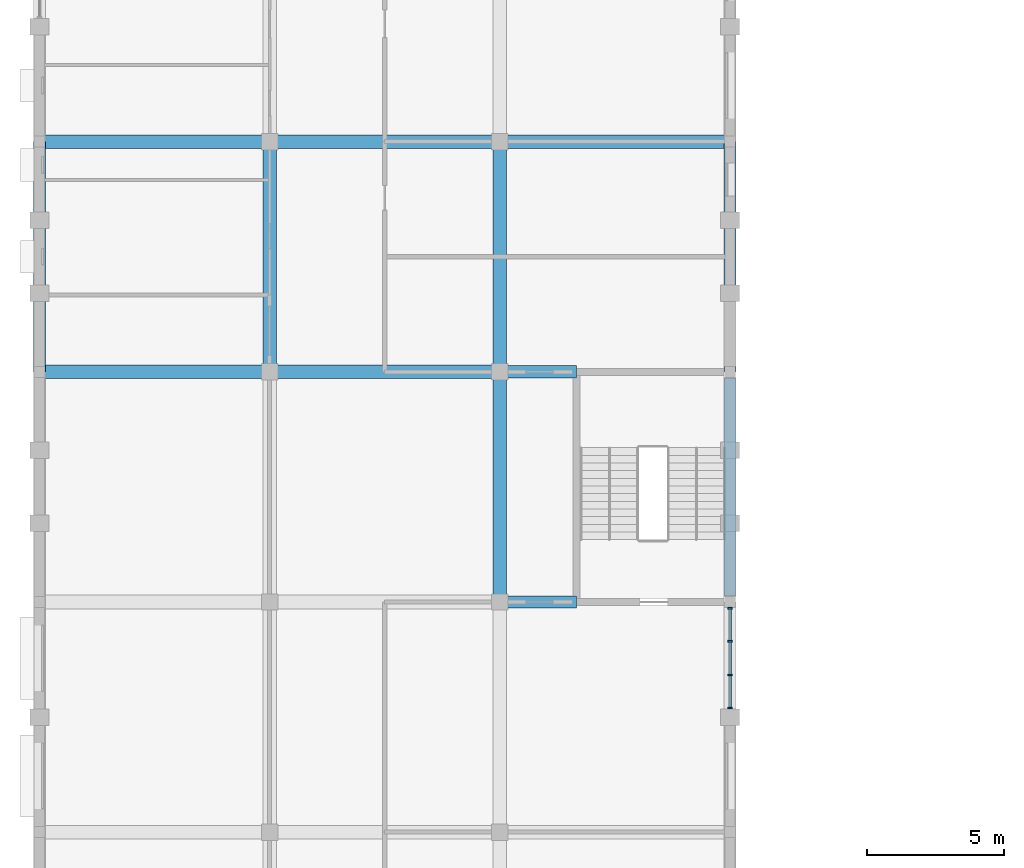
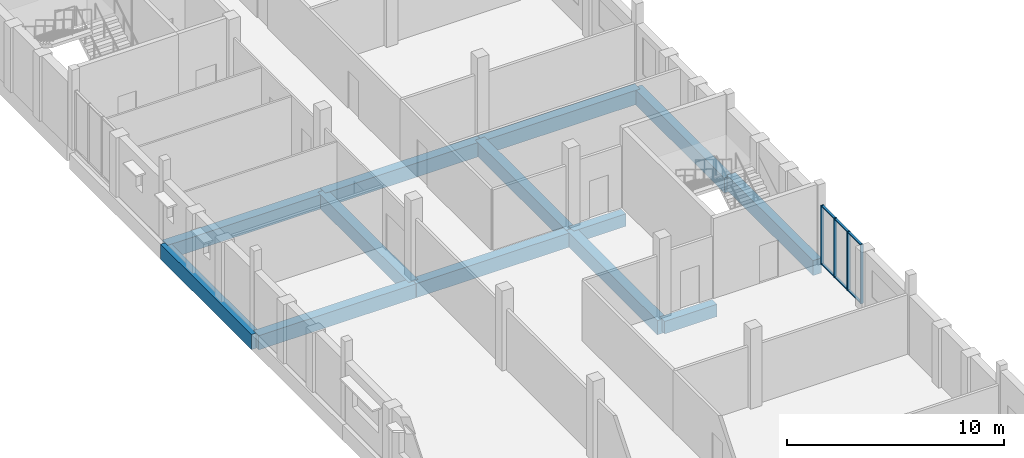
# One storey, part 37 of 116: 13 beams, 10 members, 1 element without a shape of its own.
"""IFC4 building model written with IfcOpenShell, lengths in metres."""

from ifc_helpers import new_model, si_unit, direction, frame, origin, origin_2d, place, context, subcontext, project, spatial, rectangle, extrude, material, material_profile, profile_set, type_object, element, aggregate, save


model = new_model("IFC4")

# Units and contexts
model_context = context("Model", 3, precision=1e-05, world=origin(), true_north=direction((0.0, 1.0)))
body_context = subcontext(model_context, "Body", "Model", "MODEL_VIEW")
ifc_project = project(units=[si_unit("LENGTHUNIT", "METRE"), si_unit("AREAUNIT", "SQUARE_METRE"), si_unit("VOLUMEUNIT", "CUBIC_METRE"), si_unit("PLANEANGLEUNIT", "RADIAN"), si_unit("MASSUNIT", "GRAM", prefix="KILO")], contexts=[model_context])

# Site, building, storey
site_placement = place(None, origin())
site = spatial("IfcSite", under=ifc_project, at=site_placement, CompositionType="ELEMENT")
building_placement = place(site_placement, origin())
building = spatial("IfcBuilding", under=site, at=building_placement, Name="Fescue Hill Polytechnic", CompositionType="ELEMENT")
storey_placement = place(building_placement, frame((0.0, 0.0, 13.5)))
storey = spatial("IfcBuildingStorey", under=building, at=storey_placement, Name="L03", CompositionType="ELEMENT", Elevation=13.5)

# Beams
ifc_material_1 = material(Name="Concrete 35 MPa", Category="concrete")
ifc_material_profile_1 = material_profile(ifc_material_1, rectangle(XDim=0.449951171875, YDim=0.699951171875, at=origin_2d()), Name="RC 450x700")
ifc_profile_set_1 = profile_set([ifc_material_profile_1], Name="Concrete 35 MPa")
beam_type_1 = type_object("IfcBeamType", Name="Beam RC 450x700", PredefinedType="BEAM", material=ifc_profile_set_1)
for number, where, z_axis, x_axis, name in (
    (1, (16.81005859375, 75.60009765625, -0.64990234375), (1.0, 0.0, 0.0), (0.0, 1.0, 0.0), "BM-L03-0045"),
    (2, (16.81005859375, 84.0, -0.64990234375), (1.0, 0.0, 0.0), (0.0, 1.0, 0.0), "BM-L03-0046"),
):
    element("IfcBeam", number, at=place(storey_placement, frame(where, z_axis=z_axis, x_axis=x_axis)), inside=storey, type_object=beam_type_1, Name=name, PredefinedType="BEAM", context=body_context, shape_type="SweptSolid", body=[
        extrude(rectangle(XDim=0.449951171875, YDim=0.699951171875, at=origin_2d()), origin(), (0.0, 0.0, 1.0), 2.7900390625),
    ])
ifc_material_profile_2 = material_profile(ifc_material_1, rectangle(XDim=0.449951171875, YDim=0.85009765625, at=origin_2d()), Name="RC 450x850")
ifc_profile_set_2 = profile_set([ifc_material_profile_2], Name="Concrete 35 MPa")
beam_type_2 = type_object("IfcBeamType", Name="Beam RC 450x850", PredefinedType="BEAM", material=ifc_profile_set_2)
for number, where, z_axis, x_axis, name in (
    (3, (0.0, 84.0, -0.72509765625), (0.0, 1.0, 0.0), (-1.0, 0.0, 0.0), "BM-L03-0004"),
    (4, (25.199951171875, 84.0, -0.72509765625), (0.0, 1.0, 0.0), (-1.0, 0.0, 0.0), "BM-L03-0053"),
):
    element("IfcBeam", number, at=place(storey_placement, frame(where, z_axis=z_axis, x_axis=x_axis)), inside=storey, type_object=beam_type_2, Name=name, PredefinedType="BEAM", context=body_context, shape_type="SweptSolid", body=[
        extrude(rectangle(XDim=0.449951171875, YDim=0.85009765625, at=origin_2d()), origin(), (0.0, 0.0, 1.0), 8.39990234375),
    ])
beam_1_placement = place(storey_placement, frame((25.199951171875, 75.824951171875, -0.425048828125), z_axis=(0.0, 1.0, 0.0), x_axis=(-1.0, 0.0, 0.0)))
element("IfcBeam", 5, at=beam_1_placement, inside=storey, type_object=beam_type_2, Name="BM-L03-0133", PredefinedType="BEAM", context=body_context, shape_type="SweptSolid", body=[
    extrude(rectangle(XDim=0.449951171875, YDim=0.85009765625, at=origin_2d()), origin(), (0.0, 0.0, 1.0), 7.949951171875),
])
ifc_material_profile_3 = material_profile(ifc_material_1, rectangle(XDim=0.5, YDim=0.800048828125, at=origin_2d()), Name="RC 500x800")
ifc_profile_set_3 = profile_set([ifc_material_profile_3], Name="Concrete 35 MPa")
beam_type_3 = type_object("IfcBeamType", Name="Beam RC 500x800", PredefinedType="BEAM", material=ifc_profile_set_3)
for number, where, z_axis, x_axis, name in (
    (6, (0.010009765625, 84.0, -0.699951171875), (1.0, 0.0, 0.0), (0.0, 1.0, 0.0), "BM-L03-0010"),
    (7, (0.010009765625, 92.39990234375, -0.699951171875), (1.0, 0.0, 0.0), (0.0, 1.0, 0.0), "BM-L03-0011"),
):
    element("IfcBeam", number, at=place(storey_placement, frame(where, z_axis=z_axis, x_axis=x_axis)), inside=storey, type_object=beam_type_3, Name=name, PredefinedType="BEAM", context=body_context, shape_type="SweptSolid", body=[
        extrude(rectangle(XDim=0.5, YDim=0.800048828125, at=origin_2d()), origin(), (0.0, 0.0, 1.0), 8.3798828125),
    ])
beam_2_placement = place(storey_placement, frame((8.39990234375, 84.0, -0.699951171875), z_axis=(0.0, 1.0, 0.0), x_axis=(-1.0, 0.0, 0.0)))
element("IfcBeam", 8, at=beam_2_placement, inside=storey, type_object=beam_type_3, Name="BM-L03-0020", PredefinedType="BEAM", context=body_context, shape_type="SweptSolid", body=[
    extrude(rectangle(XDim=0.5, YDim=0.800048828125, at=origin_2d()), origin(), (0.0, 0.0, 1.0), 8.39990234375),
])
for number, where, z_axis, x_axis, name in (
    (9, (8.409912109375, 84.0, -0.699951171875), (1.0, 0.0, 0.0), (0.0, 1.0, 0.0), "BM-L03-0027"),
    (10, (8.409912109375, 92.39990234375, -0.699951171875), (1.0, 0.0, 0.0), (0.0, 1.0, 0.0), "BM-L03-0028"),
):
    element("IfcBeam", number, at=place(storey_placement, frame(where, z_axis=z_axis, x_axis=x_axis)), inside=storey, type_object=beam_type_3, Name=name, PredefinedType="BEAM", context=body_context, shape_type="SweptSolid", body=[
        extrude(rectangle(XDim=0.5, YDim=0.800048828125, at=origin_2d()), origin(), (0.0, 0.0, 1.0), 8.380126953125),
    ])
for number, where, z_axis, x_axis, name in (
    (11, (16.800048828125, 75.60009765625, -0.699951171875), (0.0, 1.0, 0.0), (-1.0, 0.0, 0.0), "BM-L03-0035"),
    (12, (16.800048828125, 84.0, -0.699951171875), (0.0, 1.0, 0.0), (-1.0, 0.0, 0.0), "BM-L03-0036"),
):
    element("IfcBeam", number, at=place(storey_placement, frame(where, z_axis=z_axis, x_axis=x_axis)), inside=storey, type_object=beam_type_3, Name=name, PredefinedType="BEAM", context=body_context, shape_type="SweptSolid", body=[
        extrude(rectangle(XDim=0.5, YDim=0.800048828125, at=origin_2d()), origin(), (0.0, 0.0, 1.0), 8.39990234375),
    ])
beam_3_placement = place(storey_placement, frame((16.81005859375, 92.39990234375, -0.699951171875), z_axis=(1.0, 0.0, 0.0), x_axis=(0.0, 1.0, 0.0)))
element("IfcBeam", 13, at=beam_3_placement, inside=storey, type_object=beam_type_3, Name="BM-L03-0047", PredefinedType="BEAM", context=body_context, shape_type="SweptSolid", body=[
    extrude(rectangle(XDim=0.5, YDim=0.800048828125, at=origin_2d()), origin(), (0.0, 0.0, 1.0), 8.3798828125),
])

# Curtain wall, members
ifc_material_2 = material(Name="Glass", Category="glass")
curtain_wall_type = type_object("IfcCurtainWallType", Name="Curtain wall structural glazing", PredefinedType="NOTDEFINED", material=ifc_material_2)
curtain_wall_placement = place(storey_placement, origin())
curtain_wall = element("IfcCurtainWall", 14, at=curtain_wall_placement, inside=storey, type_object=curtain_wall_type, Name="CW-L03-V4-X3", PredefinedType="NOTDEFINED")
ifc_material_3 = material(Name="Powder-coated aluminium", Category="aluminium")
ifc_material_profile_4 = material_profile(ifc_material_3, rectangle(XDim=0.159912109375, YDim=0.06005859375, at=origin_2d()), Name="Mullion aluminium 60x160")
ifc_profile_set_4 = profile_set([ifc_material_profile_4], Name="Powder-coated aluminium")
member_type_1 = type_object("IfcMemberType", Name="Mullion aluminium 60x160", PredefinedType="MULLION", material=ifc_profile_set_4)
member_1_placement = place(storey_placement, frame((25.199951171875, 71.72998046875, 0.0), z_axis=(0.0, 0.0, 1.0), x_axis=(-1.0, 0.0, 0.0)))
member_1 = element("IfcMember", 15, at=member_1_placement, type_object=member_type_1, Name="CW136 mullion 1", PredefinedType="MULLION", context=body_context, shape_type="SweptSolid", body=[
    extrude(rectangle(XDim=0.159912109375, YDim=0.06005859375, at=origin_2d()), origin(), (0.0, 0.0, 1.0), 3.330078125),
])
member_2_placement = place(storey_placement, frame((25.199951171875, 72.933349609375, 0.0), z_axis=(0.0, 0.0, 1.0), x_axis=(-1.0, 0.0, 0.0)))
member_2 = element("IfcMember", 16, at=member_2_placement, type_object=member_type_1, Name="CW136 mullion 2", PredefinedType="MULLION", context=body_context, shape_type="SweptSolid", body=[
    extrude(rectangle(XDim=0.159912109375, YDim=0.06005859375, at=origin_2d()), origin(), (0.0, 0.0, 1.0), 3.330078125),
])
member_3_placement = place(storey_placement, frame((25.199951171875, 74.166748046875, 0.0), z_axis=(0.0, 0.0, 1.0), x_axis=(-1.0, 0.0, 0.0)))
member_3 = element("IfcMember", 17, at=member_3_placement, type_object=member_type_1, Name="CW136 mullion 3", PredefinedType="MULLION", context=body_context, shape_type="SweptSolid", body=[
    extrude(rectangle(XDim=0.159912109375, YDim=0.06005859375, at=origin_2d()), origin(), (0.0, 0.0, 1.0), 3.330078125),
])
member_4_placement = place(storey_placement, frame((25.199951171875, 75.3701171875, 0.0), z_axis=(0.0, 0.0, 1.0), x_axis=(-1.0, 0.0, 0.0)))
member_4 = element("IfcMember", 18, at=member_4_placement, type_object=member_type_1, Name="CW136 mullion 4", PredefinedType="MULLION", context=body_context, shape_type="SweptSolid", body=[
    extrude(rectangle(XDim=0.159912109375, YDim=0.06005859375, at=origin_2d()), origin(), (0.0, 0.0, 1.0), 3.330078125),
])
ifc_material_profile_5 = material_profile(ifc_material_3, rectangle(XDim=0.1201171875, YDim=0.06005859375, at=origin_2d()), Name="Transom aluminium 60x120")
ifc_profile_set_5 = profile_set([ifc_material_profile_5], Name="Powder-coated aluminium")
member_type_2 = type_object("IfcMemberType", Name="Transom aluminium 60x120", PredefinedType="USERDEFINED", material=ifc_profile_set_5)
member_5_placement = place(storey_placement, frame((25.199951171875, 71.760009765625, 0.030029296875), z_axis=(0.0, 1.0, 0.0), x_axis=(-1.0, 0.0, 0.0)))
member_5 = element("IfcMember", 19, at=member_5_placement, type_object=member_type_2, Name="CW136 transom 1.1", ObjectType="TRANSOM", PredefinedType="USERDEFINED", context=body_context, shape_type="SweptSolid", body=[
    extrude(rectangle(XDim=0.1201171875, YDim=0.06005859375, at=origin_2d()), origin(), (0.0, 0.0, 1.0), 1.143310546875),
])
member_6_placement = place(storey_placement, frame((25.199951171875, 71.760009765625, 3.300048828125), z_axis=(0.0, 1.0, 0.0), x_axis=(-1.0, 0.0, 0.0)))
member_6 = element("IfcMember", 20, at=member_6_placement, type_object=member_type_2, Name="CW136 transom 1.2", ObjectType="TRANSOM", PredefinedType="USERDEFINED", context=body_context, shape_type="SweptSolid", body=[
    extrude(rectangle(XDim=0.1201171875, YDim=0.06005859375, at=origin_2d()), origin(), (0.0, 0.0, 1.0), 1.143310546875),
])
member_7_placement = place(storey_placement, frame((25.199951171875, 72.96337890625, 0.030029296875), z_axis=(0.0, 1.0, 0.0), x_axis=(-1.0, 0.0, 0.0)))
member_7 = element("IfcMember", 21, at=member_7_placement, type_object=member_type_2, Name="CW136 transom 2.1", ObjectType="TRANSOM", PredefinedType="USERDEFINED", context=body_context, shape_type="SweptSolid", body=[
    extrude(rectangle(XDim=0.1201171875, YDim=0.06005859375, at=origin_2d()), origin(), (0.0, 0.0, 1.0), 1.17333984375),
])
member_8_placement = place(storey_placement, frame((25.199951171875, 72.96337890625, 3.300048828125), z_axis=(0.0, 1.0, 0.0), x_axis=(-1.0, 0.0, 0.0)))
member_8 = element("IfcMember", 22, at=member_8_placement, type_object=member_type_2, Name="CW136 transom 2.2", ObjectType="TRANSOM", PredefinedType="USERDEFINED", context=body_context, shape_type="SweptSolid", body=[
    extrude(rectangle(XDim=0.1201171875, YDim=0.06005859375, at=origin_2d()), origin(), (0.0, 0.0, 1.0), 1.17333984375),
])
member_9_placement = place(storey_placement, frame((25.199951171875, 74.19677734375, 0.030029296875), z_axis=(0.0, 1.0, 0.0), x_axis=(-1.0, 0.0, 0.0)))
member_9 = element("IfcMember", 23, at=member_9_placement, type_object=member_type_2, Name="CW136 transom 3.1", ObjectType="TRANSOM", PredefinedType="USERDEFINED", context=body_context, shape_type="SweptSolid", body=[
    extrude(rectangle(XDim=0.1201171875, YDim=0.06005859375, at=origin_2d()), origin(), (0.0, 0.0, 1.0), 1.143310546875),
])
member_10_placement = place(storey_placement, frame((25.199951171875, 74.19677734375, 3.300048828125), z_axis=(0.0, 1.0, 0.0), x_axis=(-1.0, 0.0, 0.0)))
member_10 = element("IfcMember", 24, at=member_10_placement, type_object=member_type_2, Name="CW136 transom 3.2", ObjectType="TRANSOM", PredefinedType="USERDEFINED", context=body_context, shape_type="SweptSolid", body=[
    extrude(rectangle(XDim=0.1201171875, YDim=0.06005859375, at=origin_2d()), origin(), (0.0, 0.0, 1.0), 1.143310546875),
])
aggregate(curtain_wall, [member_1, member_2, member_3, member_4, member_5, member_6, member_7, member_8, member_9, member_10])

save(model, "model.ifc")
